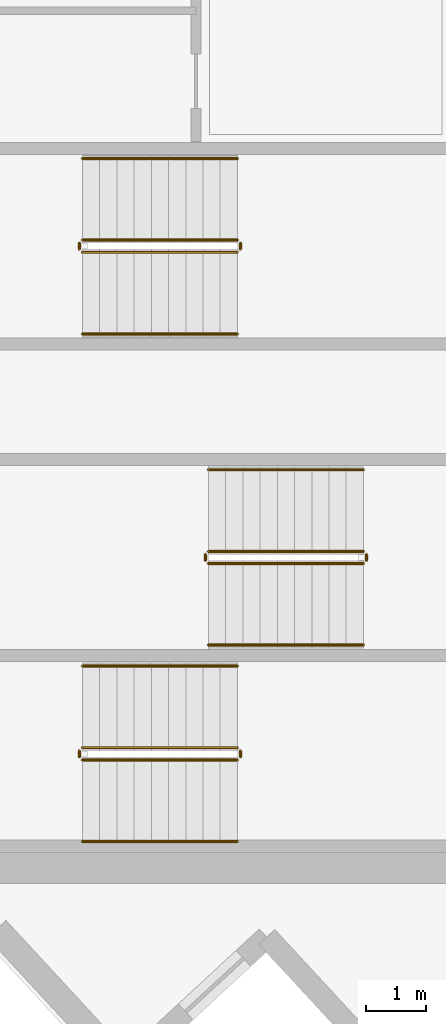
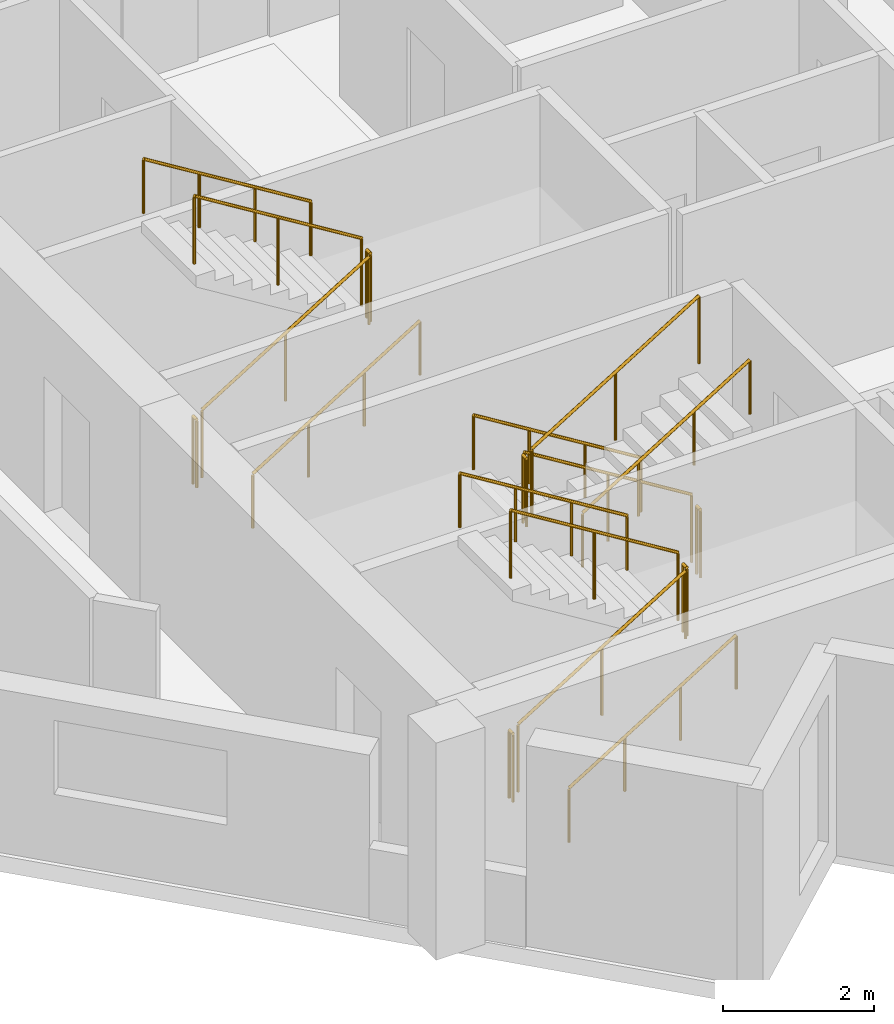
# One storey, part 11 of 12: 18 railings.
"""IFC4 building model written with IfcOpenShell, lengths in metres."""

from ifc_helpers import new_model, si_unit, direction, frame, origin, origin_2d, place, context, subcontext, project, spatial, circle, extrude, material, type_object, element, save


model = new_model("IFC4")

# Units and contexts
model_context = context("Model", 3, precision=1e-05, world=origin(), true_north=direction((0.0, 1.0)))
body_context = subcontext(model_context, "Body", "Model", "MODEL_VIEW")
ifc_project = project(units=[si_unit("LENGTHUNIT", "METRE"), si_unit("AREAUNIT", "SQUARE_METRE"), si_unit("VOLUMEUNIT", "CUBIC_METRE"), si_unit("PLANEANGLEUNIT", "RADIAN"), si_unit("MASSUNIT", "GRAM", prefix="KILO")], contexts=[model_context])

# Site, building, storey
site_placement = place(None, origin())
site = spatial("IfcSite", under=ifc_project, at=site_placement, CompositionType="ELEMENT")
building_placement = place(site_placement, origin())
building = spatial("IfcBuilding", under=site, at=building_placement, Name="Narakoshi Arena Tower", CompositionType="ELEMENT")
storey_placement = place(building_placement, frame((0.0, 0.0, 267.780029296875)))
storey = spatial("IfcBuildingStorey", under=building, at=storey_placement, Name="L73", CompositionType="ELEMENT", Elevation=267.780029296875)

# Railings
ifc_material_1 = material(Name="Clear low-iron laminated structural glass", Category="glass")
railing_type_1 = type_object("IfcRailingType", Name="RL-BAL-1100", PredefinedType="BALUSTRADE", material=ifc_material_1)
railing_1_placement = place(storey_placement, frame((74.39990234375, 36.949951171875, 0.176025390625)))
element("IfcRailing", 1, at=railing_1_placement, inside=storey, type_object=railing_type_1, Name="L73 ST1 stair guard 1", PredefinedType="BALUSTRADE", context=body_context, shape_type="SweptSolid", body=[
    extrude(circle(Radius=0.02392578125, at=origin_2d()), frame((0.0, 0.0, 1.09619140625), z_axis=(0.850856559306, 0.0, 0.525398054323), x_axis=(0.0, 1.0, 0.0)), (0.0, 0.0, 1.0), 3.014892578125),
    extrude(circle(Radius=0.02099609375, at=origin_2d()), origin(), (0.0, 0.0, 1.0), 1.072021484375),
    extrude(circle(Radius=0.02099609375, at=origin_2d()), frame((1.28271484375, 0.0, 0.7919921875)), (0.0, 0.0, 1.0), 1.072021484375),
    extrude(circle(Radius=0.02099609375, at=origin_2d()), frame((2.565185546875, 0.0, 1.583984375)), (0.0, 0.0, 1.0), 1.072021484375),
])
railing_2_placement = place(storey_placement, frame((77.014892578125, 37.0, 1.760009765625)))
element("IfcRailing", 2, at=railing_2_placement, inside=storey, type_object=railing_type_1, Name="L73 ST1 stair guard 2", PredefinedType="BALUSTRADE", context=body_context, shape_type="SweptSolid", body=[
    extrude(circle(Radius=0.02392578125, at=origin_2d()), frame((0.0, 0.0, 1.09619140625), z_axis=(0.0, 1.0, 0.0), x_axis=(-1.0, 0.0, 0.0)), (0.0, 0.0, 1.0), 0.10009765625),
    extrude(circle(Radius=0.02099609375, at=origin_2d()), origin(), (0.0, 0.0, 1.0), 1.072021484375),
    extrude(circle(Radius=0.02099609375, at=origin_2d()), frame((0.0, 0.10009765625, 0.0)), (0.0, 0.0, 1.0), 1.072021484375),
])
railing_3_placement = place(storey_placement, frame((76.965087890625, 37.14990234375, 1.93603515625)))
element("IfcRailing", 3, at=railing_3_placement, inside=storey, type_object=railing_type_1, Name="L73 ST1 stair guard 3", PredefinedType="BALUSTRADE", context=body_context, shape_type="SweptSolid", body=[
    extrude(circle(Radius=0.02392578125, at=origin_2d()), frame((0.0, 0.0, 1.09619140625), z_axis=(-0.850856559306, 0.0, 0.525398054323), x_axis=(0.0, -1.0, 0.0)), (0.0, 0.0, 1.0), 3.014892578125),
    extrude(circle(Radius=0.02099609375, at=origin_2d()), origin(), (0.0, 0.0, 1.0), 1.072021484375),
    extrude(circle(Radius=0.02099609375, at=origin_2d()), frame((-1.28271484375, 0.0, 0.7919921875)), (0.0, 0.0, 1.0), 1.072021484375),
    extrude(circle(Radius=0.02099609375, at=origin_2d()), frame((-2.565185546875, 0.0, 1.583984375)), (0.0, 0.0, 1.0), 1.072021484375),
])
railing_4_placement = place(storey_placement, frame((74.35009765625, 37.0, 0.0)))
element("IfcRailing", 4, at=railing_4_placement, inside=storey, type_object=railing_type_1, Name="L73 ST1 stair guard 4", PredefinedType="BALUSTRADE", context=body_context, shape_type="SweptSolid", body=[
    extrude(circle(Radius=0.02392578125, at=origin_2d()), frame((0.0, 0.0, 1.09619140625), z_axis=(0.0, 1.0, 0.0), x_axis=(-1.0, 0.0, 0.0)), (0.0, 0.0, 1.0), 0.10009765625),
    extrude(circle(Radius=0.02099609375, at=origin_2d()), origin(), (0.0, 0.0, 1.0), 1.072021484375),
    extrude(circle(Radius=0.02099609375, at=origin_2d()), frame((0.0, 0.10009765625, 0.0)), (0.0, 0.0, 1.0), 1.072021484375),
])
railing_5_placement = place(storey_placement, frame((79.050048828125, 40.39990234375, 0.176025390625)))
element("IfcRailing", 5, at=railing_5_placement, inside=storey, type_object=railing_type_1, Name="L73 ST2 stair guard 1", PredefinedType="BALUSTRADE", context=body_context, shape_type="SweptSolid", body=[
    extrude(circle(Radius=0.02392578125, at=origin_2d()), frame((0.0, 0.0, 1.09619140625), z_axis=(-0.850834203031, 0.0, 0.525434257497), x_axis=(0.0, -1.0, 0.0)), (0.0, 0.0, 1.0), 3.0146484375),
    extrude(circle(Radius=0.02099609375, at=origin_2d()), origin(), (0.0, 0.0, 1.0), 1.072021484375),
    extrude(circle(Radius=0.02099609375, at=origin_2d()), frame((-1.282470703125, 0.0, 0.7919921875)), (0.0, 0.0, 1.0), 1.072021484375),
    extrude(circle(Radius=0.02099609375, at=origin_2d()), frame((-2.56494140625, 0.0, 1.583984375)), (0.0, 0.0, 1.0), 1.072021484375),
])
railing_6_placement = place(storey_placement, frame((76.43505859375, 40.35009765625, 1.760009765625)))
element("IfcRailing", 6, at=railing_6_placement, inside=storey, type_object=railing_type_1, Name="L73 ST2 stair guard 2", PredefinedType="BALUSTRADE", context=body_context, shape_type="SweptSolid", body=[
    extrude(circle(Radius=0.02392578125, at=origin_2d()), frame((0.0, 0.0, 1.09619140625), z_axis=(0.0, -1.0, 0.0), x_axis=(1.0, 0.0, 0.0)), (0.0, 0.0, 1.0), 0.10009765625),
    extrude(circle(Radius=0.02099609375, at=origin_2d()), origin(), (0.0, 0.0, 1.0), 1.072021484375),
    extrude(circle(Radius=0.02099609375, at=origin_2d()), frame((0.0, -0.10009765625, 0.0)), (0.0, 0.0, 1.0), 1.072021484375),
])
railing_7_placement = place(storey_placement, frame((76.485107421875, 40.199951171875, 1.93603515625)))
element("IfcRailing", 7, at=railing_7_placement, inside=storey, type_object=railing_type_1, Name="L73 ST2 stair guard 3", PredefinedType="BALUSTRADE", context=body_context, shape_type="SweptSolid", body=[
    extrude(circle(Radius=0.02392578125, at=origin_2d()), frame((0.0, 0.0, 1.09619140625), z_axis=(0.850834203031, 0.0, 0.525434257497), x_axis=(0.0, 1.0, 0.0)), (0.0, 0.0, 1.0), 3.0146484375),
    extrude(circle(Radius=0.02099609375, at=origin_2d()), origin(), (0.0, 0.0, 1.0), 1.072021484375),
    extrude(circle(Radius=0.02099609375, at=origin_2d()), frame((1.282470703125, 0.0, 0.7919921875)), (0.0, 0.0, 1.0), 1.072021484375),
    extrude(circle(Radius=0.02099609375, at=origin_2d()), frame((2.56494140625, 0.0, 1.583984375)), (0.0, 0.0, 1.0), 1.072021484375),
])
railing_8_placement = place(storey_placement, frame((79.10009765625, 40.35009765625, 0.0)))
element("IfcRailing", 8, at=railing_8_placement, inside=storey, type_object=railing_type_1, Name="L73 ST2 stair guard 4", PredefinedType="BALUSTRADE", context=body_context, shape_type="SweptSolid", body=[
    extrude(circle(Radius=0.02392578125, at=origin_2d()), frame((0.0, 0.0, 1.09619140625), z_axis=(0.0, -1.0, 0.0), x_axis=(1.0, 0.0, 0.0)), (0.0, 0.0, 1.0), 0.10009765625),
    extrude(circle(Radius=0.02099609375, at=origin_2d()), origin(), (0.0, 0.0, 1.0), 1.072021484375),
    extrude(circle(Radius=0.02099609375, at=origin_2d()), frame((0.0, -0.10009765625, 0.0)), (0.0, 0.0, 1.0), 1.072021484375),
])
railing_9_placement = place(storey_placement, frame((74.39990234375, 45.35009765625, 0.176025390625)))
element("IfcRailing", 9, at=railing_9_placement, inside=storey, type_object=railing_type_1, Name="L73 ST3 stair guard 1", PredefinedType="BALUSTRADE", context=body_context, shape_type="SweptSolid", body=[
    extrude(circle(Radius=0.02392578125, at=origin_2d()), frame((0.0, 0.0, 1.09619140625), z_axis=(0.850856559306, 0.0, 0.525398054323), x_axis=(0.0, 1.0, 0.0)), (0.0, 0.0, 1.0), 3.014892578125),
    extrude(circle(Radius=0.02099609375, at=origin_2d()), origin(), (0.0, 0.0, 1.0), 1.072021484375),
    extrude(circle(Radius=0.02099609375, at=origin_2d()), frame((1.28271484375, 0.0, 0.7919921875)), (0.0, 0.0, 1.0), 1.072021484375),
    extrude(circle(Radius=0.02099609375, at=origin_2d()), frame((2.565185546875, 0.0, 1.583984375)), (0.0, 0.0, 1.0), 1.072021484375),
])
railing_10_placement = place(storey_placement, frame((77.014892578125, 45.39990234375, 1.760009765625)))
element("IfcRailing", 10, at=railing_10_placement, inside=storey, type_object=railing_type_1, Name="L73 ST3 stair guard 2", PredefinedType="BALUSTRADE", context=body_context, shape_type="SweptSolid", body=[
    extrude(circle(Radius=0.02392578125, at=origin_2d()), frame((0.0, 0.0, 1.09619140625), z_axis=(0.0, 1.0, 0.0), x_axis=(-1.0, 0.0, 0.0)), (0.0, 0.0, 1.0), 0.10009765625),
    extrude(circle(Radius=0.02099609375, at=origin_2d()), origin(), (0.0, 0.0, 1.0), 1.072021484375),
    extrude(circle(Radius=0.02099609375, at=origin_2d()), frame((0.0, 0.10009765625, 0.0)), (0.0, 0.0, 1.0), 1.072021484375),
])
railing_11_placement = place(storey_placement, frame((76.965087890625, 45.550048828125, 1.93603515625)))
element("IfcRailing", 11, at=railing_11_placement, inside=storey, type_object=railing_type_1, Name="L73 ST3 stair guard 3", PredefinedType="BALUSTRADE", context=body_context, shape_type="SweptSolid", body=[
    extrude(circle(Radius=0.02392578125, at=origin_2d()), frame((0.0, 0.0, 1.09619140625), z_axis=(-0.850856559306, 0.0, 0.525398054323), x_axis=(0.0, -1.0, 0.0)), (0.0, 0.0, 1.0), 3.014892578125),
    extrude(circle(Radius=0.02099609375, at=origin_2d()), origin(), (0.0, 0.0, 1.0), 1.072021484375),
    extrude(circle(Radius=0.02099609375, at=origin_2d()), frame((-1.28271484375, 0.0, 0.7919921875)), (0.0, 0.0, 1.0), 1.072021484375),
    extrude(circle(Radius=0.02099609375, at=origin_2d()), frame((-2.565185546875, 0.0, 1.583984375)), (0.0, 0.0, 1.0), 1.072021484375),
])
railing_12_placement = place(storey_placement, frame((74.35009765625, 45.39990234375, 0.0)))
element("IfcRailing", 12, at=railing_12_placement, inside=storey, type_object=railing_type_1, Name="L73 ST3 stair guard 4", PredefinedType="BALUSTRADE", context=body_context, shape_type="SweptSolid", body=[
    extrude(circle(Radius=0.02392578125, at=origin_2d()), frame((0.0, 0.0, 1.09619140625), z_axis=(0.0, 1.0, 0.0), x_axis=(-1.0, 0.0, 0.0)), (0.0, 0.0, 1.0), 0.10009765625),
    extrude(circle(Radius=0.02099609375, at=origin_2d()), origin(), (0.0, 0.0, 1.0), 1.072021484375),
    extrude(circle(Radius=0.02099609375, at=origin_2d()), frame((0.0, 0.10009765625, 0.0)), (0.0, 0.0, 1.0), 1.072021484375),
])
ifc_material_2 = material(Name="Brushed bronze stainless steel", Category="steel")
railing_type_2 = type_object("IfcRailingType", Name="RL-HND-900", PredefinedType="HANDRAIL", material=ifc_material_2)
railing_13_placement = place(storey_placement, frame((74.39990234375, 35.60009765625, 0.176025390625)))
element("IfcRailing", 13, at=railing_13_placement, inside=storey, type_object=railing_type_2, Name="L73 ST1 stair handrail 1", PredefinedType="HANDRAIL", context=body_context, shape_type="SweptSolid", body=[
    extrude(circle(Radius=0.02392578125, at=origin_2d()), frame((0.0, 0.0, 0.8759765625), z_axis=(0.850856559306, 0.0, 0.525398054323), x_axis=(0.0, 1.0, 0.0)), (0.0, 0.0, 1.0), 3.014892578125),
    extrude(circle(Radius=0.02099609375, at=origin_2d()), origin(), (0.0, 0.0, 1.0), 0.851806640625),
    extrude(circle(Radius=0.02099609375, at=origin_2d()), frame((0.85498046875, 0.0, 0.528076171875)), (0.0, 0.0, 1.0), 0.851806640625),
    extrude(circle(Radius=0.02099609375, at=origin_2d()), frame((1.710205078125, 0.0, 1.055908203125)), (0.0, 0.0, 1.0), 0.851806640625),
    extrude(circle(Radius=0.02099609375, at=origin_2d()), frame((2.565185546875, 0.0, 1.583984375)), (0.0, 0.0, 1.0), 0.851806640625),
])
railing_14_placement = place(storey_placement, frame((76.965087890625, 38.5, 1.93603515625)))
element("IfcRailing", 14, at=railing_14_placement, inside=storey, type_object=railing_type_2, Name="L73 ST1 stair handrail 2", PredefinedType="HANDRAIL", context=body_context, shape_type="SweptSolid", body=[
    extrude(circle(Radius=0.02392578125, at=origin_2d()), frame((0.0, 0.0, 0.8759765625), z_axis=(-0.850856559306, 0.0, 0.525398054323), x_axis=(0.0, -1.0, 0.0)), (0.0, 0.0, 1.0), 3.014892578125),
    extrude(circle(Radius=0.02099609375, at=origin_2d()), origin(), (0.0, 0.0, 1.0), 0.851806640625),
    extrude(circle(Radius=0.02099609375, at=origin_2d()), frame((-0.85498046875, 0.0, 0.528076171875)), (0.0, 0.0, 1.0), 0.851806640625),
    extrude(circle(Radius=0.02099609375, at=origin_2d()), frame((-1.710205078125, 0.0, 1.055908203125)), (0.0, 0.0, 1.0), 0.851806640625),
    extrude(circle(Radius=0.02099609375, at=origin_2d()), frame((-2.565185546875, 0.0, 1.583984375)), (0.0, 0.0, 1.0), 0.851806640625),
])
railing_15_placement = place(storey_placement, frame((79.050048828125, 41.75, 0.176025390625)))
element("IfcRailing", 15, at=railing_15_placement, inside=storey, type_object=railing_type_2, Name="L73 ST2 stair handrail 1", PredefinedType="HANDRAIL", context=body_context, shape_type="SweptSolid", body=[
    extrude(circle(Radius=0.02392578125, at=origin_2d()), frame((0.0, 0.0, 0.8759765625), z_axis=(-0.850834203031, 0.0, 0.525434257497), x_axis=(0.0, -1.0, 0.0)), (0.0, 0.0, 1.0), 3.0146484375),
    extrude(circle(Radius=0.02099609375, at=origin_2d()), origin(), (0.0, 0.0, 1.0), 0.851806640625),
    extrude(circle(Radius=0.02099609375, at=origin_2d()), frame((-0.85498046875, 0.0, 0.528076171875)), (0.0, 0.0, 1.0), 0.851806640625),
    extrude(circle(Radius=0.02099609375, at=origin_2d()), frame((-1.7099609375, 0.0, 1.055908203125)), (0.0, 0.0, 1.0), 0.851806640625),
    extrude(circle(Radius=0.02099609375, at=origin_2d()), frame((-2.56494140625, 0.0, 1.583984375)), (0.0, 0.0, 1.0), 0.851806640625),
])
railing_16_placement = place(storey_placement, frame((76.485107421875, 38.85009765625, 1.93603515625)))
element("IfcRailing", 16, at=railing_16_placement, inside=storey, type_object=railing_type_2, Name="L73 ST2 stair handrail 2", PredefinedType="HANDRAIL", context=body_context, shape_type="SweptSolid", body=[
    extrude(circle(Radius=0.02392578125, at=origin_2d()), frame((0.0, 0.0, 0.8759765625), z_axis=(0.850834203031, 0.0, 0.525434257497), x_axis=(0.0, 1.0, 0.0)), (0.0, 0.0, 1.0), 3.0146484375),
    extrude(circle(Radius=0.02099609375, at=origin_2d()), origin(), (0.0, 0.0, 1.0), 0.851806640625),
    extrude(circle(Radius=0.02099609375, at=origin_2d()), frame((0.85498046875, 0.0, 0.528076171875)), (0.0, 0.0, 1.0), 0.851806640625),
    extrude(circle(Radius=0.02099609375, at=origin_2d()), frame((1.7099609375, 0.0, 1.055908203125)), (0.0, 0.0, 1.0), 0.851806640625),
    extrude(circle(Radius=0.02099609375, at=origin_2d()), frame((2.56494140625, 0.0, 1.583984375)), (0.0, 0.0, 1.0), 0.851806640625),
])
railing_17_placement = place(storey_placement, frame((74.39990234375, 44.0, 0.176025390625)))
element("IfcRailing", 17, at=railing_17_placement, inside=storey, type_object=railing_type_2, Name="L73 ST3 stair handrail 1", PredefinedType="HANDRAIL", context=body_context, shape_type="SweptSolid", body=[
    extrude(circle(Radius=0.02392578125, at=origin_2d()), frame((0.0, 0.0, 0.8759765625), z_axis=(0.850856559306, 0.0, 0.525398054323), x_axis=(0.0, 1.0, 0.0)), (0.0, 0.0, 1.0), 3.014892578125),
    extrude(circle(Radius=0.02099609375, at=origin_2d()), origin(), (0.0, 0.0, 1.0), 0.851806640625),
    extrude(circle(Radius=0.02099609375, at=origin_2d()), frame((0.85498046875, 0.0, 0.528076171875)), (0.0, 0.0, 1.0), 0.851806640625),
    extrude(circle(Radius=0.02099609375, at=origin_2d()), frame((1.710205078125, 0.0, 1.055908203125)), (0.0, 0.0, 1.0), 0.851806640625),
    extrude(circle(Radius=0.02099609375, at=origin_2d()), frame((2.565185546875, 0.0, 1.583984375)), (0.0, 0.0, 1.0), 0.851806640625),
])
railing_18_placement = place(storey_placement, frame((76.965087890625, 46.89990234375, 1.93603515625)))
element("IfcRailing", 18, at=railing_18_placement, inside=storey, type_object=railing_type_2, Name="L73 ST3 stair handrail 2", PredefinedType="HANDRAIL", context=body_context, shape_type="SweptSolid", body=[
    extrude(circle(Radius=0.02392578125, at=origin_2d()), frame((0.0, 0.0, 0.8759765625), z_axis=(-0.850856559306, 0.0, 0.525398054323), x_axis=(0.0, -1.0, 0.0)), (0.0, 0.0, 1.0), 3.014892578125),
    extrude(circle(Radius=0.02099609375, at=origin_2d()), origin(), (0.0, 0.0, 1.0), 0.851806640625),
    extrude(circle(Radius=0.02099609375, at=origin_2d()), frame((-0.85498046875, 0.0, 0.528076171875)), (0.0, 0.0, 1.0), 0.851806640625),
    extrude(circle(Radius=0.02099609375, at=origin_2d()), frame((-1.710205078125, 0.0, 1.055908203125)), (0.0, 0.0, 1.0), 0.851806640625),
    extrude(circle(Radius=0.02099609375, at=origin_2d()), frame((-2.565185546875, 0.0, 1.583984375)), (0.0, 0.0, 1.0), 0.851806640625),
])

save(model, "model.ifc")
